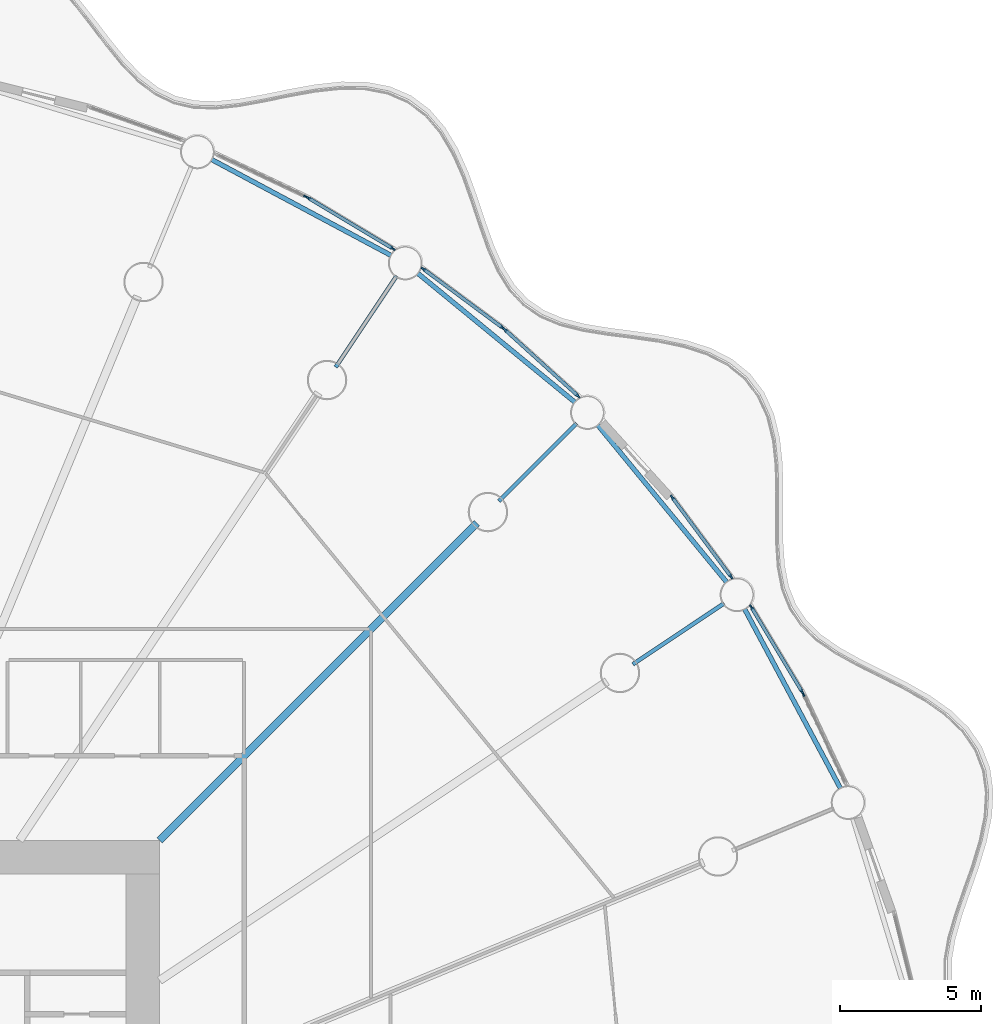
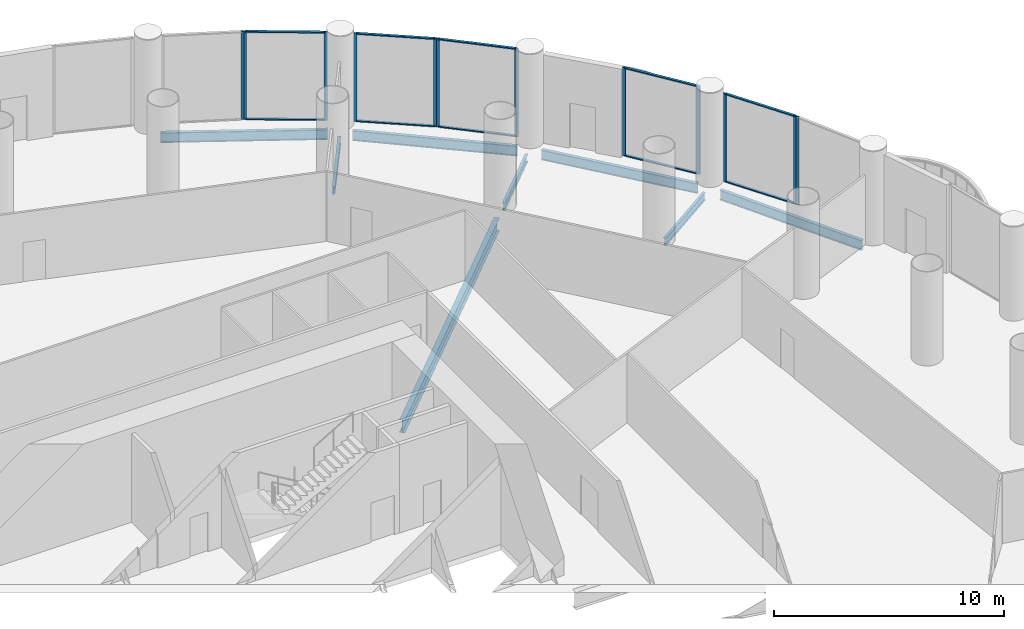
# One storey, part 18 of 38: 22 members, 8 beams, 7 elements without a shape of their own.
"""IFC4 building model written with IfcOpenShell, lengths in metres."""

from ifc_helpers import new_model, si_unit, direction, frame, origin, origin_2d, place, context, subcontext, project, spatial, rectangle, i_section, extrude, material, material_profile, profile_set, type_object, element, aggregate, save


model = new_model("IFC4")

# Units and contexts
model_context = context("Model", 3, precision=1e-05, world=origin(), true_north=direction((0.0, 1.0)))
body_context = subcontext(model_context, "Body", "Model", "MODEL_VIEW")
ifc_project = project(units=[si_unit("LENGTHUNIT", "METRE"), si_unit("AREAUNIT", "SQUARE_METRE"), si_unit("VOLUMEUNIT", "CUBIC_METRE"), si_unit("PLANEANGLEUNIT", "RADIAN"), si_unit("MASSUNIT", "GRAM", prefix="KILO")], contexts=[model_context])

# Site, building, storey
site_placement = place(None, origin())
site = spatial("IfcSite", under=ifc_project, at=site_placement, CompositionType="ELEMENT")
building_placement = place(site_placement, origin())
building = spatial("IfcBuilding", under=site, at=building_placement, Name="Corvane Civic Tower", CompositionType="ELEMENT")
storey_placement = place(building_placement, frame((0.0, 0.0, 32.0)))
storey = spatial("IfcBuildingStorey", under=building, at=storey_placement, Name="L06", CompositionType="ELEMENT", Elevation=32.0)

# Beams
ifc_material_1 = material(Name="Steel ASTM A992 Gr 50", Category="steel")
ifc_material_profile_1 = material_profile(ifc_material_1, i_section(OverallWidth=0.165771484375, OverallDepth=0.5283203125, WebThickness=0.009765625, FlangeThickness=0.013671875, at=origin_2d()), Name="W21X50")
ifc_profile_set_1 = profile_set([ifc_material_profile_1], Name="Steel ASTM A992 Gr 50")
beam_type_1 = type_object("IfcBeamType", Name="EDGE BEAM W21X50", PredefinedType="BEAM", material=ifc_profile_set_1)
for number, where, z_axis, x_axis, name in (
    (1, (16.82568359375, 39.1904296875, -0.564208984375), (0.881912894916, -0.471412394598, 0.0), (0.471412394598, 0.881912894916, 0.0), "BM-L06-E03"),
    (2, (24.14794921875, 35.15478515625, -0.564208984375), (0.773007924807, -0.634396365205, 0.0), (0.634396365205, 0.773007924807, 0.0), "BM-L06-E04"),
    (3, (30.542236328125, 29.768310546875, -0.564208984375), (0.634396365205, -0.773007924807, 0.0), (0.773007924807, 0.634396365205, 0.0), "BM-L06-E05"),
    (4, (35.762939453125, 23.23779296875, -0.564208984375), (0.471412394598, -0.881912894916, 0.0), (0.881912894916, 0.471412394598, 0.0), "BM-L06-E06"),
):
    element("IfcBeam", number, at=place(storey_placement, frame(where, z_axis=z_axis, x_axis=x_axis)), inside=storey, type_object=beam_type_1, Name=name, PredefinedType="BEAM", context=body_context, shape_type="SweptSolid", body=[
        extrude(i_section(OverallWidth=0.165771484375, OverallDepth=0.5283203125, WebThickness=0.009765625, FlangeThickness=0.013671875, at=origin_2d()), origin(), (0.0, 0.0, 1.0), 7.270751953125),
    ])
ifc_material_2 = material(Name="Steel ASTM A992 Gr 50", Category="steel")
ifc_material_profile_2 = material_profile(ifc_material_2, i_section(OverallWidth=0.140380859375, OverallDepth=0.40380859375, WebThickness=0.007080078125, FlangeThickness=0.01123046875, at=origin_2d()), Name="W16X31")
ifc_profile_set_2 = profile_set([ifc_material_profile_2], Name="Steel ASTM A992 Gr 50")
beam_type_2 = type_object("IfcBeamType", Name="FLOOR GIRDER W16X31", PredefinedType="BEAM", material=ifc_profile_set_2)
for number, where, z_axis, x_axis, name in (
    (5, (21.25048828125, 31.8037109375, -0.501953125), (0.555581110199, 0.831462344301, 0.0), (-0.831462344301, 0.555581110199, 0.0), "BM-L06-G04b"),
    (6, (27.046875, 27.046875, -0.501953125), (0.707106781187, 0.707106781187, 0.0), (-0.707106781187, 0.707106781187, 0.0), "BM-L06-G05b"),
    (7, (31.8037109375, 21.25048828125, -0.501953125), (0.831462344301, 0.555581110199, 0.0), (-0.555581110199, 0.831462344301, 0.0), "BM-L06-G06b"),
):
    element("IfcBeam", number, at=place(storey_placement, frame(where, z_axis=z_axis, x_axis=x_axis)), inside=storey, type_object=beam_type_2, Name=name, PredefinedType="BEAM", context=body_context, shape_type="SweptSolid", body=[
        extrude(i_section(OverallWidth=0.140380859375, OverallDepth=0.40380859375, WebThickness=0.007080078125, FlangeThickness=0.01123046875, at=origin_2d()), origin(), (0.0, 0.0, 1.0), 3.89990234375),
    ])
ifc_material_3 = material(Name="Steel ASTM A992 Gr 50", Category="steel")
ifc_material_profile_3 = material_profile(ifc_material_3, i_section(OverallWidth=0.25390625, OverallDepth=0.67822265625, WebThickness=0.01171875, FlangeThickness=0.016357421875, at=origin_2d()), Name="W27X84")
ifc_profile_set_3 = profile_set([ifc_material_profile_3], Name="Steel ASTM A992 Gr 50")
beam_type_3 = type_object("IfcBeamType", Name="FLOOR GIRDER W27X84", PredefinedType="BEAM", material=ifc_profile_set_3)
beam_placement = place(storey_placement, frame((15.0, 15.0, -0.63916015625), z_axis=(0.707106781187, 0.707106781187, 0.0), x_axis=(-0.707106781187, 0.707106781187, 0.0)))
element("IfcBeam", 8, at=beam_placement, inside=storey, type_object=beam_type_3, Name="BM-L06-G05", PredefinedType="BEAM", context=body_context, shape_type="SweptSolid", body=[
    extrude(i_section(OverallWidth=0.25390625, OverallDepth=0.67822265625, WebThickness=0.01171875, FlangeThickness=0.016357421875, at=origin_2d()), origin(), (0.0, 0.0, 1.0), 15.936767578125),
])

# Curtain wall, member
ifc_material_4 = material(Name="Aluminium and glass", Category="aluminium")
curtain_wall_type = type_object("IfcCurtainWallType", Name="PODIUM-CW-P-RUN", PredefinedType="NOTDEFINED", material=ifc_material_4)
curtain_wall_1_placement = place(storey_placement, origin())
curtain_wall_1 = element("IfcCurtainWall", 9, at=curtain_wall_1_placement, inside=storey, type_object=curtain_wall_type, Name="PODI run L06-drum-03A", PredefinedType="NOTDEFINED")
ifc_material_5 = material(Name="Anodised aluminium bronze", Category="aluminium")
ifc_material_profile_4 = material_profile(ifc_material_5, rectangle(XDim=0.06005859375, YDim=0.159912109375, at=origin_2d()), Name="AL 60x160")
ifc_profile_set_4 = profile_set([ifc_material_profile_4], Name="Anodised aluminium bronze")
member_type_1 = type_object("IfcMemberType", Name="PODIUM-CWP-MULLION-60x160", PredefinedType="MULLION", material=ifc_profile_set_4)
member_1_placement = place(storey_placement, frame((20.186279296875, 37.862548828125, 0.0), z_axis=(0.0, 0.0, 1.0), x_axis=(0.42755312852, 0.903990222454, 0.0)))
member_1 = element("IfcMember", 10, at=member_1_placement, type_object=member_type_1, Name="CW-P mullion 2", PredefinedType="MULLION", context=body_context, shape_type="SweptSolid", body=[
    extrude(rectangle(XDim=0.06005859375, YDim=0.159912109375, at=origin_2d()), origin(), (0.0, 0.0, 1.0), 4.699951171875),
])
aggregate(curtain_wall_1, [member_1])

# Curtain wall, members
curtain_wall_2_placement = place(storey_placement, origin())
curtain_wall_2 = element("IfcCurtainWall", 11, at=curtain_wall_2_placement, inside=storey, type_object=curtain_wall_type, Name="PODI run L06-drum-03B", PredefinedType="NOTDEFINED")
member_2_placement = place(storey_placement, frame((20.2666015625, 37.819580078125, 0.0), z_axis=(0.0, 0.0, 1.0), x_axis=(0.514117759857, 0.857719609779, 0.0)))
member_2 = element("IfcMember", 12, at=member_2_placement, type_object=member_type_1, Name="CW-P mullion 1", PredefinedType="MULLION", context=body_context, shape_type="SweptSolid", body=[
    extrude(rectangle(XDim=0.06005859375, YDim=0.159912109375, at=origin_2d()), origin(), (0.0, 0.0, 1.0), 4.699951171875),
])
member_3_placement = place(storey_placement, frame((23.28564453125, 36.010009765625, 0.0), z_axis=(0.0, 0.0, 1.0), x_axis=(0.514117759857, 0.857719609779, 0.0)))
member_3 = element("IfcMember", 13, at=member_3_placement, type_object=member_type_1, Name="CW-P mullion 2", PredefinedType="MULLION", context=body_context, shape_type="SweptSolid", body=[
    extrude(rectangle(XDim=0.06005859375, YDim=0.159912109375, at=origin_2d()), origin(), (0.0, 0.0, 1.0), 4.699951171875),
])

curtain_wall_3_placement = place(storey_placement, origin())
curtain_wall_3 = element("IfcCurtainWall", 14, at=curtain_wall_3_placement, inside=storey, type_object=curtain_wall_type, Name="PODI run L06-drum-04A", PredefinedType="NOTDEFINED")
member_4_placement = place(storey_placement, frame((24.35791015625, 35.293701171875, 0.0), z_axis=(0.0, 0.0, 1.0), x_axis=(0.595705104665, 0.803203229747, 0.0)))
member_4 = element("IfcMember", 15, at=member_4_placement, type_object=member_type_1, Name="CW-P mullion 1", PredefinedType="MULLION", context=body_context, shape_type="SweptSolid", body=[
    extrude(rectangle(XDim=0.06005859375, YDim=0.159912109375, at=origin_2d()), origin(), (0.0, 0.0, 1.0), 4.699951171875),
])
member_5_placement = place(storey_placement, frame((27.18505859375, 33.197021484375, 0.0), z_axis=(0.0, 0.0, 1.0), x_axis=(0.595705104665, 0.803203229747, 0.0)))
member_5 = element("IfcMember", 16, at=member_5_placement, type_object=member_type_1, Name="CW-P mullion 2", PredefinedType="MULLION", context=body_context, shape_type="SweptSolid", body=[
    extrude(rectangle(XDim=0.06005859375, YDim=0.159912109375, at=origin_2d()), origin(), (0.0, 0.0, 1.0), 4.699951171875),
])

curtain_wall_4_placement = place(storey_placement, origin())
curtain_wall_4 = element("IfcCurtainWall", 17, at=curtain_wall_4_placement, inside=storey, type_object=curtain_wall_type, Name="PODI run L06-drum-04B", PredefinedType="NOTDEFINED")
member_6_placement = place(storey_placement, frame((27.25537109375, 33.13916015625, 0.0), z_axis=(0.0, 0.0, 1.0), x_axis=(0.671576457952, 0.740935261089, 0.0)))
member_6 = element("IfcMember", 18, at=member_6_placement, type_object=member_type_1, Name="CW-P mullion 1", PredefinedType="MULLION", context=body_context, shape_type="SweptSolid", body=[
    extrude(rectangle(XDim=0.06005859375, YDim=0.159912109375, at=origin_2d()), origin(), (0.0, 0.0, 1.0), 4.699951171875),
])
member_7_placement = place(storey_placement, frame((29.863525390625, 30.775390625, 0.0), z_axis=(0.0, 0.0, 1.0), x_axis=(0.671576457952, 0.740935261089, 0.0)))
member_7 = element("IfcMember", 19, at=member_7_placement, type_object=member_type_1, Name="CW-P mullion 2", PredefinedType="MULLION", context=body_context, shape_type="SweptSolid", body=[
    extrude(rectangle(XDim=0.06005859375, YDim=0.159912109375, at=origin_2d()), origin(), (0.0, 0.0, 1.0), 4.699951171875),
])

curtain_wall_5_placement = place(storey_placement, origin())
curtain_wall_5 = element("IfcCurtainWall", 20, at=curtain_wall_5_placement, inside=storey, type_object=curtain_wall_type, Name="PODI run L06-drum-05B", PredefinedType="NOTDEFINED")
member_8_placement = place(storey_placement, frame((33.197021484375, 27.18505859375, 0.0), z_axis=(0.0, 0.0, 1.0), x_axis=(0.803203229747, 0.595705104665, 0.0)))
member_8 = element("IfcMember", 21, at=member_8_placement, type_object=member_type_1, Name="CW-P mullion 1", PredefinedType="MULLION", context=body_context, shape_type="SweptSolid", body=[
    extrude(rectangle(XDim=0.06005859375, YDim=0.159912109375, at=origin_2d()), origin(), (0.0, 0.0, 1.0), 4.699951171875),
])
member_9_placement = place(storey_placement, frame((35.293701171875, 24.35791015625, 0.0), z_axis=(0.0, 0.0, 1.0), x_axis=(0.803203229747, 0.595705104665, 0.0)))
member_9 = element("IfcMember", 22, at=member_9_placement, type_object=member_type_1, Name="CW-P mullion 2", PredefinedType="MULLION", context=body_context, shape_type="SweptSolid", body=[
    extrude(rectangle(XDim=0.06005859375, YDim=0.159912109375, at=origin_2d()), origin(), (0.0, 0.0, 1.0), 4.699951171875),
])

curtain_wall_6_placement = place(storey_placement, origin())
curtain_wall_6 = element("IfcCurtainWall", 23, at=curtain_wall_6_placement, inside=storey, type_object=curtain_wall_type, Name="PODI run L06-drum-06A", PredefinedType="NOTDEFINED")
member_10_placement = place(storey_placement, frame((36.010009765625, 23.28564453125, 0.0), z_axis=(0.0, 0.0, 1.0), x_axis=(0.857719609779, 0.514117759857, 0.0)))
member_10 = element("IfcMember", 24, at=member_10_placement, type_object=member_type_1, Name="CW-P mullion 1", PredefinedType="MULLION", context=body_context, shape_type="SweptSolid", body=[
    extrude(rectangle(XDim=0.06005859375, YDim=0.159912109375, at=origin_2d()), origin(), (0.0, 0.0, 1.0), 4.699951171875),
])
member_11_placement = place(storey_placement, frame((37.819580078125, 20.2666015625, 0.0), z_axis=(0.0, 0.0, 1.0), x_axis=(0.857719609779, 0.514117759857, 0.0)))
member_11 = element("IfcMember", 25, at=member_11_placement, type_object=member_type_1, Name="CW-P mullion 2", PredefinedType="MULLION", context=body_context, shape_type="SweptSolid", body=[
    extrude(rectangle(XDim=0.06005859375, YDim=0.159912109375, at=origin_2d()), origin(), (0.0, 0.0, 1.0), 4.699951171875),
])

# Curtain wall, member
curtain_wall_7_placement = place(storey_placement, origin())
curtain_wall_7 = element("IfcCurtainWall", 26, at=curtain_wall_7_placement, inside=storey, type_object=curtain_wall_type, Name="PODI run L06-drum-06B", PredefinedType="NOTDEFINED")
member_12_placement = place(storey_placement, frame((37.862548828125, 20.186279296875, 0.0), z_axis=(0.0, 0.0, 1.0), x_axis=(0.903990222454, 0.42755312852, 0.0)))
member_12 = element("IfcMember", 27, at=member_12_placement, type_object=member_type_1, Name="CW-P mullion 1", PredefinedType="MULLION", context=body_context, shape_type="SweptSolid", body=[
    extrude(rectangle(XDim=0.06005859375, YDim=0.159912109375, at=origin_2d()), origin(), (0.0, 0.0, 1.0), 4.699951171875),
])
aggregate(curtain_wall_7, [member_12])

# Member
ifc_material_6 = material(Name="Anodised aluminium bronze", Category="aluminium")
ifc_material_profile_5 = material_profile(ifc_material_6, rectangle(XDim=0.1201171875, YDim=0.06005859375, at=origin_2d()), Name="AL 120x60")
ifc_profile_set_5 = profile_set([ifc_material_profile_5], Name="Anodised aluminium bronze")
member_type_2 = type_object("IfcMemberType", Name="PODIUM-CWP-TRANSOM-60x120", PredefinedType="USERDEFINED", material=ifc_profile_set_5)
member_13_placement = place(storey_placement, frame((20.29248046875, 37.80419921875, 0.030029296875), z_axis=(0.857723234181, -0.514111713099, 0.0), x_axis=(0.514111713099, 0.857723234181, 0.0)))
member_13 = element("IfcMember", 28, at=member_13_placement, type_object=member_type_2, Name="CW-P transom 1.1", ObjectType="TRANSOM", PredefinedType="USERDEFINED", context=body_context, shape_type="SweptSolid", body=[
    extrude(rectangle(XDim=0.1201171875, YDim=0.06005859375, at=origin_2d()), origin(), (0.0, 0.0, 1.0), 3.45947265625),
])

member_14_placement = place(storey_placement, frame((20.29248046875, 37.80419921875, 4.669921875), z_axis=(0.857723234181, -0.514111713099, 0.0), x_axis=(0.514111713099, 0.857723234181, 0.0)))
member_14 = element("IfcMember", 29, at=member_14_placement, type_object=member_type_2, Name="CW-P transom 1.2", ObjectType="TRANSOM", PredefinedType="USERDEFINED", context=body_context, shape_type="SweptSolid", body=[
    extrude(rectangle(XDim=0.1201171875, YDim=0.06005859375, at=origin_2d()), origin(), (0.0, 0.0, 1.0), 3.45947265625),
])

aggregate(curtain_wall_2, [member_2, member_3, member_13, member_14])

member_15_placement = place(storey_placement, frame((24.382080078125, 35.27587890625, 0.030029296875), z_axis=(0.803189518598, -0.595723591285, 0.0), x_axis=(0.595723591285, 0.803189518598, 0.0)))
member_15 = element("IfcMember", 30, at=member_15_placement, type_object=member_type_2, Name="CW-P transom 1.1", ObjectType="TRANSOM", PredefinedType="USERDEFINED", context=body_context, shape_type="SweptSolid", body=[
    extrude(rectangle(XDim=0.1201171875, YDim=0.06005859375, at=origin_2d()), origin(), (0.0, 0.0, 1.0), 3.459716796875),
])

member_16_placement = place(storey_placement, frame((24.382080078125, 35.27587890625, 4.669921875), z_axis=(0.803189518598, -0.595723591285, 0.0), x_axis=(0.595723591285, 0.803189518598, 0.0)))
member_16 = element("IfcMember", 31, at=member_16_placement, type_object=member_type_2, Name="CW-P transom 1.2", ObjectType="TRANSOM", PredefinedType="USERDEFINED", context=body_context, shape_type="SweptSolid", body=[
    extrude(rectangle(XDim=0.1201171875, YDim=0.06005859375, at=origin_2d()), origin(), (0.0, 0.0, 1.0), 3.459716796875),
])

aggregate(curtain_wall_3, [member_4, member_5, member_15, member_16])

member_17_placement = place(storey_placement, frame((27.277587890625, 33.119140625, 0.030029296875), z_axis=(0.740935382865, -0.671576323599, 0.0), x_axis=(0.671576323599, 0.740935382865, 0.0)))
member_17 = element("IfcMember", 32, at=member_17_placement, type_object=member_type_2, Name="CW-P transom 1.1", ObjectType="TRANSOM", PredefinedType="USERDEFINED", context=body_context, shape_type="SweptSolid", body=[
    extrude(rectangle(XDim=0.1201171875, YDim=0.06005859375, at=origin_2d()), origin(), (0.0, 0.0, 1.0), 3.460205078125),
])

member_18_placement = place(storey_placement, frame((27.277587890625, 33.119140625, 4.669921875), z_axis=(0.740935382865, -0.671576323599, 0.0), x_axis=(0.671576323599, 0.740935382865, 0.0)))
member_18 = element("IfcMember", 33, at=member_18_placement, type_object=member_type_2, Name="CW-P transom 1.2", ObjectType="TRANSOM", PredefinedType="USERDEFINED", context=body_context, shape_type="SweptSolid", body=[
    extrude(rectangle(XDim=0.1201171875, YDim=0.06005859375, at=origin_2d()), origin(), (0.0, 0.0, 1.0), 3.460205078125),
])

aggregate(curtain_wall_4, [member_6, member_7, member_17, member_18])

member_19_placement = place(storey_placement, frame((33.21484375, 27.160888671875, 0.030029296875), z_axis=(0.595723591285, -0.803189518598, 0.0), x_axis=(0.803189518598, 0.595723591285, 0.0)))
member_19 = element("IfcMember", 34, at=member_19_placement, type_object=member_type_2, Name="CW-P transom 1.1", ObjectType="TRANSOM", PredefinedType="USERDEFINED", context=body_context, shape_type="SweptSolid", body=[
    extrude(rectangle(XDim=0.1201171875, YDim=0.06005859375, at=origin_2d()), origin(), (0.0, 0.0, 1.0), 3.459716796875),
])

member_20_placement = place(storey_placement, frame((33.21484375, 27.160888671875, 4.669921875), z_axis=(0.595723591285, -0.803189518598, 0.0), x_axis=(0.803189518598, 0.595723591285, 0.0)))
member_20 = element("IfcMember", 35, at=member_20_placement, type_object=member_type_2, Name="CW-P transom 1.2", ObjectType="TRANSOM", PredefinedType="USERDEFINED", context=body_context, shape_type="SweptSolid", body=[
    extrude(rectangle(XDim=0.1201171875, YDim=0.06005859375, at=origin_2d()), origin(), (0.0, 0.0, 1.0), 3.459716796875),
])

aggregate(curtain_wall_5, [member_8, member_9, member_19, member_20])

member_21_placement = place(storey_placement, frame((36.025634765625, 23.259765625, 0.030029296875), z_axis=(0.514111713099, -0.857723234181, 0.0), x_axis=(0.857723234181, 0.514111713099, 0.0)))
member_21 = element("IfcMember", 36, at=member_21_placement, type_object=member_type_2, Name="CW-P transom 1.1", ObjectType="TRANSOM", PredefinedType="USERDEFINED", context=body_context, shape_type="SweptSolid", body=[
    extrude(rectangle(XDim=0.1201171875, YDim=0.06005859375, at=origin_2d()), origin(), (0.0, 0.0, 1.0), 3.45947265625),
])

member_22_placement = place(storey_placement, frame((36.025634765625, 23.259765625, 4.669921875), z_axis=(0.514111713099, -0.857723234181, 0.0), x_axis=(0.857723234181, 0.514111713099, 0.0)))
member_22 = element("IfcMember", 37, at=member_22_placement, type_object=member_type_2, Name="CW-P transom 1.2", ObjectType="TRANSOM", PredefinedType="USERDEFINED", context=body_context, shape_type="SweptSolid", body=[
    extrude(rectangle(XDim=0.1201171875, YDim=0.06005859375, at=origin_2d()), origin(), (0.0, 0.0, 1.0), 3.45947265625),
])

aggregate(curtain_wall_6, [member_10, member_11, member_21, member_22])

save(model, "model.ifc")
